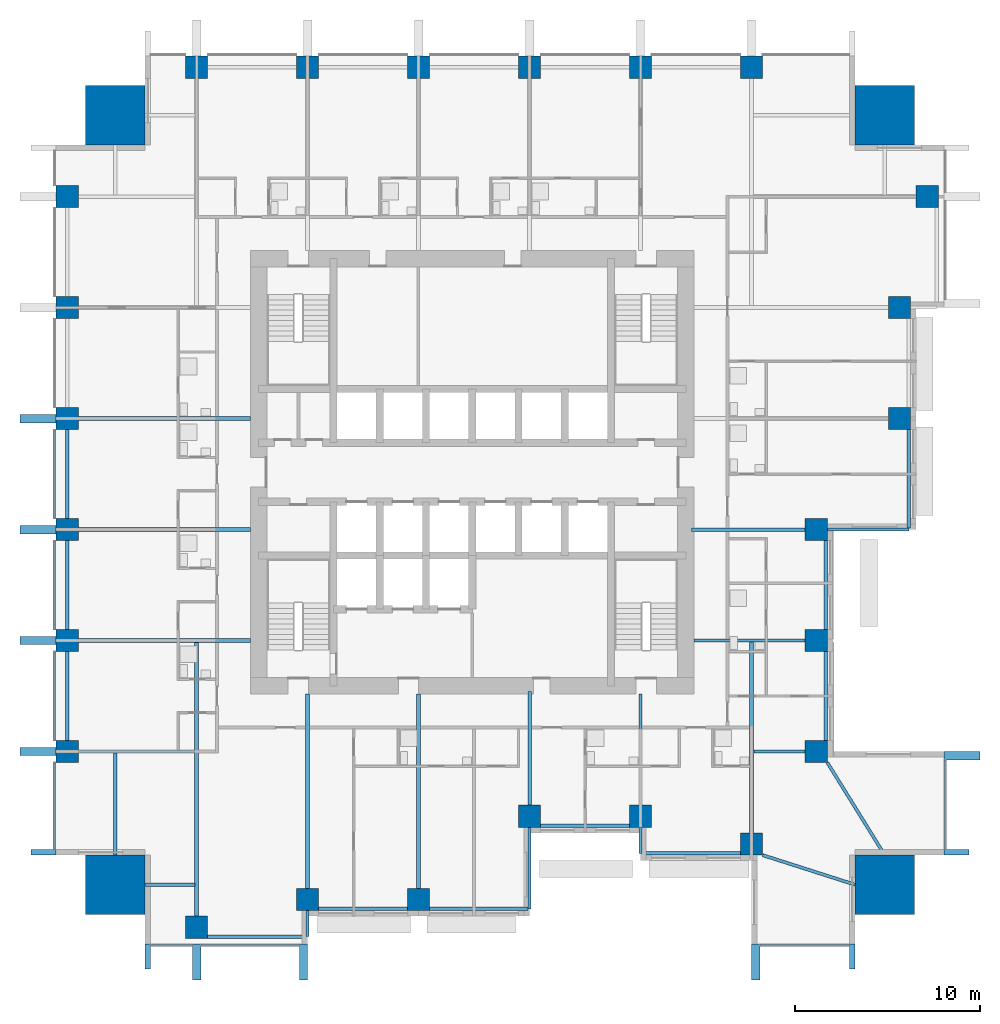
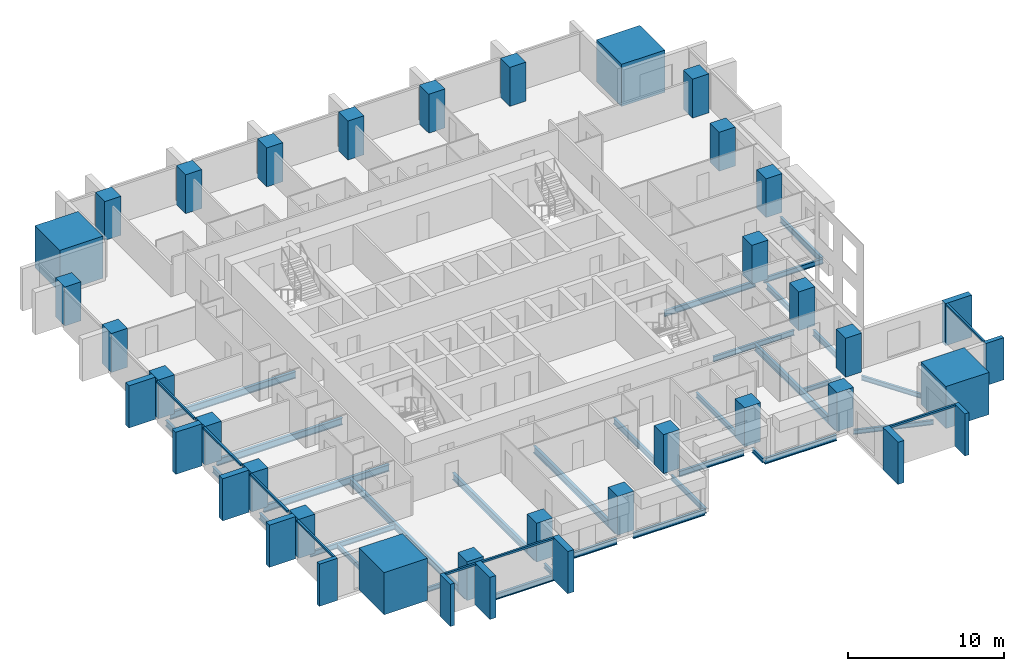
# One storey, part 1 of 10: 32 beams, 28 columns, 20 members, 4 elements without a shape of their own.
"""IFC4 building model written with IfcOpenShell, lengths in metres."""

from ifc_helpers import new_model, si_unit, direction, frame, origin, origin_2d, place, context, subcontext, project, spatial, rectangle, i_section, extrude, material, material_profile, profile_set, type_object, element, aggregate, save


model = new_model("IFC4")

# Units and contexts
model_context = context("Model", 3, precision=1e-05, world=origin(), true_north=direction((0.0, 1.0)))
body_context = subcontext(model_context, "Body", "Model", "MODEL_VIEW")
ifc_project = project(units=[si_unit("LENGTHUNIT", "METRE"), si_unit("AREAUNIT", "SQUARE_METRE"), si_unit("VOLUMEUNIT", "CUBIC_METRE"), si_unit("PLANEANGLEUNIT", "RADIAN"), si_unit("MASSUNIT", "GRAM", prefix="KILO")], contexts=[model_context])

# Site, building, storey
site_placement = place(None, origin())
site = spatial("IfcSite", under=ifc_project, at=site_placement, CompositionType="ELEMENT")
building_placement = place(site_placement, origin())
building = spatial("IfcBuilding", under=site, at=building_placement, Name="Amberfall Residences", CompositionType="ELEMENT")
storey_placement = place(building_placement, frame((0.0, 0.0, 30.10009765625)))
storey = spatial("IfcBuildingStorey", under=building, at=storey_placement, Name="L07", CompositionType="ELEMENT", Elevation=30.10009765625)

# Columns
ifc_material_1 = material(Name="Concrete C80", Category="concrete")
ifc_material_profile_1 = material_profile(ifc_material_1, rectangle(XDim=1.199951171875, YDim=1.199951171875, at=origin_2d()), Name="Column 1200 x 1200 C80")
ifc_profile_set_1 = profile_set([ifc_material_profile_1], Name="Concrete C80")
column_type_1 = type_object("IfcColumnType", Name="Column 1200 x 1200 C80", PredefinedType="COLUMN", material=ifc_profile_set_1)
for number, where, z_axis, x_axis, name in (
    (1, (59.60009765625, 20.89990234375, 0.0), (0.0, 0.0, 1.0), (1.0, 0.0, 0.0), "Column C1 L07 S1"),
    (2, (65.60009765625, 22.39990234375, 0.0), (0.0, 0.0, 1.0), (1.0, 0.0, 0.0), "Column C1 L07 S2"),
    (3, (71.60009765625, 22.39990234375, 0.0), (0.0, 0.0, 1.0), (1.0, 0.0, 0.0), "Column C1 L07 S3"),
    (4, (77.60009765625, 26.89990234375, 0.0), (0.0, 0.0, 1.0), (1.0, 0.0, 0.0), "Column C1 L07 S4"),
    (5, (83.60009765625, 26.89990234375, 0.0), (0.0, 0.0, 1.0), (1.0, 0.0, 0.0), "Column C1 L07 S5"),
    (6, (89.60009765625, 25.39990234375, 0.0), (0.0, 0.0, 1.0), (1.0, 0.0, 0.0), "Column C1 L07 S6"),
    (7, (93.10009765625, 30.39990234375, 0.0), (0.0, 0.0, 1.0), (1.0, 0.0, 0.0), "Column C1 L07 E1"),
    (8, (93.10009765625, 36.39990234375, 0.0), (0.0, 0.0, 1.0), (1.0, 0.0, 0.0), "Column C1 L07 E2"),
    (9, (93.10009765625, 42.39990234375, 0.0), (0.0, 0.0, 1.0), (1.0, 0.0, 0.0), "Column C1 L07 E3"),
    (10, (97.60009765625, 48.39990234375, 0.0), (0.0, 0.0, 1.0), (1.0, 0.0, 0.0), "Column C1 L07 E4"),
    (11, (97.60009765625, 54.39990234375, 0.0), (0.0, 0.0, 1.0), (1.0, 0.0, 0.0), "Column C1 L07 E5"),
    (12, (99.10009765625, 60.39990234375, 0.0), (0.0, 0.0, 1.0), (1.0, 0.0, 0.0), "Column C1 L07 E6"),
    (13, (59.60009765625, 67.39990234375, 0.0), (0.0, 0.0, 1.0), (1.0, 0.0, 0.0), "Column C1 L07 N1"),
    (14, (65.60009765625, 67.39990234375, 0.0), (0.0, 0.0, 1.0), (1.0, 0.0, 0.0), "Column C1 L07 N2"),
    (15, (71.60009765625, 67.39990234375, 0.0), (0.0, 0.0, 1.0), (1.0, 0.0, 0.0), "Column C1 L07 N3"),
    (16, (77.60009765625, 67.39990234375, 0.0), (0.0, 0.0, 1.0), (1.0, 0.0, 0.0), "Column C1 L07 N4"),
    (17, (83.60009765625, 67.39990234375, 0.0), (0.0, 0.0, 1.0), (1.0, 0.0, 0.0), "Column C1 L07 N5"),
    (18, (89.60009765625, 67.39990234375, 0.0), (0.0, 0.0, 1.0), (1.0, 0.0, 0.0), "Column C1 L07 N6"),
    (19, (52.60009765625, 30.39990234375, 0.0), (0.0, 0.0, 1.0), (1.0, 0.0, 0.0), "Column C1 L07 W1"),
    (20, (52.60009765625, 36.39990234375, 0.0), (0.0, 0.0, 1.0), (1.0, 0.0, 0.0), "Column C1 L07 W2"),
    (21, (52.60009765625, 42.39990234375, 0.0), (0.0, 0.0, 1.0), (1.0, 0.0, 0.0), "Column C1 L07 W3"),
    (22, (52.60009765625, 48.39990234375, 0.0), (0.0, 0.0, 1.0), (1.0, 0.0, 0.0), "Column C1 L07 W4"),
    (23, (52.60009765625, 54.39990234375, 0.0), (0.0, 0.0, 1.0), (1.0, 0.0, 0.0), "Column C1 L07 W5"),
    (24, (52.60009765625, 60.39990234375, 0.0), (0.0, 0.0, 1.0), (1.0, 0.0, 0.0), "Column C1 L07 W6"),
):
    element("IfcColumn", number, at=place(storey_placement, frame(where, z_axis=z_axis, x_axis=x_axis)), inside=storey, type_object=column_type_1, Name=name, PredefinedType="COLUMN", context=body_context, shape_type="SweptSolid", body=[
        extrude(rectangle(XDim=1.199951171875, YDim=1.199951171875, at=origin_2d()), origin(), (0.0, 0.0, 1.0), 3.0498046875),
    ])
ifc_material_profile_2 = material_profile(ifc_material_1, rectangle(XDim=3.199951171875, YDim=3.199951171875, at=origin_2d()), Name="Mega column 3200 x 3200 C80")
ifc_profile_set_2 = profile_set([ifc_material_profile_2], Name="Concrete C80")
column_type_2 = type_object("IfcColumnType", Name="Mega column 3200 x 3200 C80", PredefinedType="COLUMN", material=ifc_profile_set_2)
for number, where, z_axis, x_axis, name in (
    (25, (55.199951171875, 23.199951171875, 0.0), (0.0, 0.0, 1.0), (1.0, 0.0, 0.0), "Mega column MC1 L07 SW"),
    (26, (96.800048828125, 23.199951171875, 0.0), (0.0, 0.0, 1.0), (1.0, 0.0, 0.0), "Mega column MC1 L07 SE"),
    (27, (96.800048828125, 64.800048828125, 0.0), (0.0, 0.0, 1.0), (1.0, 0.0, 0.0), "Mega column MC1 L07 NE"),
    (28, (55.199951171875, 64.800048828125, 0.0), (0.0, 0.0, 1.0), (1.0, 0.0, 0.0), "Mega column MC1 L07 NW"),
):
    element("IfcColumn", number, at=place(storey_placement, frame(where, z_axis=z_axis, x_axis=x_axis)), inside=storey, type_object=column_type_2, Name=name, PredefinedType="COLUMN", context=body_context, shape_type="SweptSolid", body=[
        extrude(rectangle(XDim=3.199951171875, YDim=3.199951171875, at=origin_2d()), origin(), (0.0, 0.0, 1.0), 3.2998046875),
    ])

# Curtain wall, members
ifc_material_2 = material(Name="Bronze anodised aluminium and glass", Category="aluminium")
curtain_wall_type = type_object("IfcCurtainWallType", Name="Curtain wall CW1 tower unit", PredefinedType="USERDEFINED", material=ifc_material_2)
curtain_wall_1_placement = place(storey_placement, origin())
curtain_wall_1 = element("IfcCurtainWall", 29, at=curtain_wall_1_placement, inside=storey, type_object=curtain_wall_type, Name="Curtain wall L07 S S1", ObjectType="UNITISED CURTAIN WALL", PredefinedType="USERDEFINED")
ifc_material_3 = material(Name="Bronze anodised aluminium", Category="aluminium")
ifc_material_profile_3 = material_profile(ifc_material_3, rectangle(XDim=0.14990234375, YDim=0.14990234375, at=origin_2d()), Name="CW1 transom 150 x 150 bronze")
ifc_profile_set_3 = profile_set([ifc_material_profile_3], Name="Bronze anodised aluminium")
member_type_1 = type_object("IfcMemberType", Name="CW1 transom 150 x 150 bronze", PredefinedType="USERDEFINED", material=ifc_profile_set_3)
member_1_placement = place(storey_placement, frame((57.10009765625, 19.925048828125, 2.974853515625), z_axis=(1.0, 0.0, 0.0), x_axis=(0.0, 1.0, 0.0)))
member_1 = element("IfcMember", 30, at=member_1_placement, type_object=member_type_1, Name="CW1 transom 1.1", ObjectType="TRANSOM", PredefinedType="USERDEFINED", context=body_context, shape_type="SweptSolid", body=[
    extrude(rectangle(XDim=0.14990234375, YDim=0.14990234375, at=origin_2d()), origin(), (0.0, 0.0, 1.0), 2.27490234375),
])
member_2_placement = place(storey_placement, frame((59.824951171875, 19.925048828125, 2.974853515625), z_axis=(1.0, 0.0, 0.0), x_axis=(0.0, 1.0, 0.0)))
member_2 = element("IfcMember", 31, at=member_2_placement, type_object=member_type_1, Name="CW1 transom 2.1", ObjectType="TRANSOM", PredefinedType="USERDEFINED", context=body_context, shape_type="SweptSolid", body=[
    extrude(rectangle(XDim=0.14990234375, YDim=0.14990234375, at=origin_2d()), origin(), (0.0, 0.0, 1.0), 5.324951171875),
])

# Curtain wall, member
curtain_wall_2_placement = place(storey_placement, origin())
curtain_wall_2 = element("IfcCurtainWall", 32, at=curtain_wall_2_placement, inside=storey, type_object=curtain_wall_type, Name="Curtain wall L07 S S10", ObjectType="UNITISED CURTAIN WALL", PredefinedType="USERDEFINED")
member_3_placement = place(storey_placement, frame((90.050048828125, 19.925048828125, 2.974853515625), z_axis=(1.0, 0.0, 0.0), x_axis=(0.0, 1.0, 0.0)))
member_3 = element("IfcMember", 33, at=member_3_placement, type_object=member_type_1, Name="CW1 transom 1.1", ObjectType="TRANSOM", PredefinedType="USERDEFINED", context=body_context, shape_type="SweptSolid", body=[
    extrude(rectangle(XDim=0.14990234375, YDim=0.14990234375, at=origin_2d()), origin(), (0.0, 0.0, 1.0), 4.849853515625),
])

curtain_wall_3_placement = place(storey_placement, origin())
curtain_wall_3 = element("IfcCurtainWall", 34, at=curtain_wall_3_placement, inside=storey, type_object=curtain_wall_type, Name="Curtain wall L07 E E1", ObjectType="UNITISED CURTAIN WALL", PredefinedType="USERDEFINED")
member_4_placement = place(storey_placement, frame((100.074951171875, 25.10009765625, 2.974853515625), z_axis=(0.0, 1.0, 0.0), x_axis=(-1.0, 0.0, 0.0)))
member_4 = element("IfcMember", 35, at=member_4_placement, type_object=member_type_1, Name="CW1 transom 1.1", ObjectType="TRANSOM", PredefinedType="USERDEFINED", context=body_context, shape_type="SweptSolid", body=[
    extrude(rectangle(XDim=0.14990234375, YDim=0.14990234375, at=origin_2d()), origin(), (0.0, 0.0, 1.0), 4.849853515625),
])

# Curtain wall, members
curtain_wall_4_placement = place(storey_placement, origin())
curtain_wall_4 = element("IfcCurtainWall", 36, at=curtain_wall_4_placement, inside=storey, type_object=curtain_wall_type, Name="Curtain wall L07 W W1", ObjectType="UNITISED CURTAIN WALL", PredefinedType="USERDEFINED")
member_5_placement = place(storey_placement, frame((51.925048828125, 47.794921875, 2.974853515625), z_axis=(0.0, -1.0, 0.0), x_axis=(1.0, 0.0, 0.0)))
member_5 = element("IfcMember", 37, at=member_5_placement, type_object=member_type_1, Name="CW1 transom 4.1", ObjectType="TRANSOM", PredefinedType="USERDEFINED", context=body_context, shape_type="SweptSolid", body=[
    extrude(rectangle(XDim=0.14990234375, YDim=0.14990234375, at=origin_2d()), origin(), (0.0, 0.0, 1.0), 4.7900390625),
])
member_6_placement = place(storey_placement, frame((51.925048828125, 41.794921875, 2.974853515625), z_axis=(0.0, -1.0, 0.0), x_axis=(1.0, 0.0, 0.0)))
member_6 = element("IfcMember", 38, at=member_6_placement, type_object=member_type_1, Name="CW1 transom 5.1", ObjectType="TRANSOM", PredefinedType="USERDEFINED", context=body_context, shape_type="SweptSolid", body=[
    extrude(rectangle(XDim=0.14990234375, YDim=0.14990234375, at=origin_2d()), origin(), (0.0, 0.0, 1.0), 4.7900390625),
])
member_7_placement = place(storey_placement, frame((51.925048828125, 35.794921875, 2.974853515625), z_axis=(0.0, -1.0, 0.0), x_axis=(1.0, 0.0, 0.0)))
member_7 = element("IfcMember", 39, at=member_7_placement, type_object=member_type_1, Name="CW1 transom 6.1", ObjectType="TRANSOM", PredefinedType="USERDEFINED", context=body_context, shape_type="SweptSolid", body=[
    extrude(rectangle(XDim=0.14990234375, YDim=0.14990234375, at=origin_2d()), origin(), (0.0, 0.0, 1.0), 4.7900390625),
])
member_8_placement = place(storey_placement, frame((51.925048828125, 29.794921875, 2.974853515625), z_axis=(0.0, -1.0, 0.0), x_axis=(1.0, 0.0, 0.0)))
member_8 = element("IfcMember", 40, at=member_8_placement, type_object=member_type_1, Name="CW1 transom 7.1", ObjectType="TRANSOM", PredefinedType="USERDEFINED", context=body_context, shape_type="SweptSolid", body=[
    extrude(rectangle(XDim=0.14990234375, YDim=0.14990234375, at=origin_2d()), origin(), (0.0, 0.0, 1.0), 4.69482421875),
])

# Beams
ifc_material_4 = material(Name="Steel S355", Category="steel")
ifc_material_profile_4 = material_profile(ifc_material_4, i_section(OverallWidth=0.171142578125, OverallDepth=0.351318359375, WebThickness=0.007080078125, FlangeThickness=0.009765625, FilletRadius=0.01025390625, at=origin_2d()), Name="UB 356x171x45")
ifc_profile_set_4 = profile_set([ifc_material_profile_4], Name="Steel S355")
beam_type_1 = type_object("IfcBeamType", Name="Cantilever girder UB 356x171x45", PredefinedType="BEAM", material=ifc_profile_set_4)
for number, where, z_axis, x_axis, name in (
    (41, (65.60009765625, 21.800048828125, -0.42578125), (0.0, -1.0, 0.0), (1.0, 0.0, 0.0), "Cantilever girder B8 L07 06"),
    (42, (83.60009765625, 26.300048828125, -0.42578125), (0.0, -1.0, 0.0), (1.0, 0.0, 0.0), "Cantilever girder B8 L07 08"),
):
    element("IfcBeam", number, at=place(storey_placement, frame(where, z_axis=z_axis, x_axis=x_axis)), inside=storey, type_object=beam_type_1, Name=name, PredefinedType="BEAM", context=body_context, shape_type="SweptSolid", body=[
        extrude(i_section(OverallWidth=0.171142578125, OverallDepth=0.351318359375, WebThickness=0.007080078125, FlangeThickness=0.009765625, FilletRadius=0.01025390625, at=origin_2d()), origin(), (0.0, 0.0, 1.0), 1.400146484375),
    ])
ifc_material_profile_5 = material_profile(ifc_material_4, i_section(OverallWidth=0.177734375, OverallDepth=0.402587890625, WebThickness=0.0078125, FlangeThickness=0.010986328125, FilletRadius=0.01025390625, at=origin_2d()), Name="UB 406x178x54")
ifc_profile_set_5 = profile_set([ifc_material_profile_5], Name="Steel S355")
beam_type_2 = type_object("IfcBeamType", Name="Cantilever girder UB 406x178x54", PredefinedType="BEAM", material=ifc_profile_set_5)
for number, where, z_axis, x_axis, name in (
    (43, (77.60009765625, 26.300048828125, -0.451416015625), (0.0, -1.0, 0.0), (1.0, 0.0, 0.0), "Cantilever girder B9 L07 07"),
    (44, (93.699951171875, 42.39990234375, -0.451416015625), (1.0, 0.0, 0.0), (0.0, 1.0, 0.0), "Cantilever girder B9 L07 20"),
):
    element("IfcBeam", number, at=place(storey_placement, frame(where, z_axis=z_axis, x_axis=x_axis)), inside=storey, type_object=beam_type_2, Name=name, PredefinedType="BEAM", context=body_context, shape_type="SweptSolid", body=[
        extrude(i_section(OverallWidth=0.177734375, OverallDepth=0.402587890625, WebThickness=0.0078125, FlangeThickness=0.010986328125, FilletRadius=0.01025390625, at=origin_2d()), origin(), (0.0, 0.0, 1.0), 4.400146484375),
    ])

# Member
ifc_material_profile_6 = material_profile(ifc_material_3, rectangle(XDim=1.35009765625, YDim=0.300048828125, at=origin_2d()), Name="Corner fin 300 x 1350 bronze")
ifc_profile_set_6 = profile_set([ifc_material_profile_6], Name="Bronze anodised aluminium")
member_type_2 = type_object("IfcMemberType", Name="Corner fin 300 x 1350 bronze", PredefinedType="MULLION", material=ifc_profile_set_6)
member_9_placement = place(storey_placement, frame((56.949951171875, 19.324951171875, -0.25), z_axis=(0.0, 0.0, 1.0), x_axis=(0.0, 1.0, 0.0)))
member_9 = element("IfcMember", 45, at=member_9_placement, type_object=member_type_2, Name="CW FIN 1", PredefinedType="MULLION", context=body_context, shape_type="SweptSolid", body=[
    extrude(rectangle(XDim=1.35009765625, YDim=0.300048828125, at=origin_2d()), origin(), (0.0, 0.0, 1.0), 3.2998046875),
])

member_10_placement = place(storey_placement, frame((95.050048828125, 19.324951171875, -0.25), z_axis=(0.0, 0.0, 1.0), x_axis=(0.0, 1.0, 0.0)))
member_10 = element("IfcMember", 46, at=member_10_placement, type_object=member_type_2, Name="CW FIN 2", PredefinedType="MULLION", context=body_context, shape_type="SweptSolid", body=[
    extrude(rectangle(XDim=1.35009765625, YDim=0.300048828125, at=origin_2d()), origin(), (0.0, 0.0, 1.0), 3.2998046875),
])

member_11_placement = place(storey_placement, frame((100.675048828125, 24.949951171875, -0.25), z_axis=(0.0, 0.0, 1.0), x_axis=(-1.0, 0.0, 0.0)))
member_11 = element("IfcMember", 47, at=member_11_placement, type_object=member_type_2, Name="CW FIN 1", PredefinedType="MULLION", context=body_context, shape_type="SweptSolid", body=[
    extrude(rectangle(XDim=1.35009765625, YDim=0.300048828125, at=origin_2d()), origin(), (0.0, 0.0, 1.0), 3.2998046875),
])

member_12_placement = place(storey_placement, frame((51.324951171875, 24.949951171875, -0.25), z_axis=(0.0, 0.0, 1.0), x_axis=(1.0, 0.0, 0.0)))
member_12 = element("IfcMember", 48, at=member_12_placement, type_object=member_type_2, Name="CW FIN 8", PredefinedType="MULLION", context=body_context, shape_type="SweptSolid", body=[
    extrude(rectangle(XDim=1.35009765625, YDim=0.300048828125, at=origin_2d()), origin(), (0.0, 0.0, 1.0), 3.2998046875),
])

# Beams
ifc_material_profile_7 = material_profile(ifc_material_4, i_section(OverallWidth=0.18994140625, OverallDepth=0.453369140625, WebThickness=0.008544921875, FlangeThickness=0.0126953125, FilletRadius=0.01025390625, at=origin_2d()), Name="UB 457x191x67")
ifc_profile_set_7 = profile_set([ifc_material_profile_7], Name="Steel S355")
beam_type_3 = type_object("IfcBeamType", Name="Edge beam UB 457x191x67", PredefinedType="SPANDREL", material=ifc_profile_set_7)
beam_1_placement = place(storey_placement, frame((60.199951171875, 20.39990234375, -0.476806640625), z_axis=(1.0, 0.0, 0.0), x_axis=(0.0, 1.0, 0.0)))
element("IfcBeam", 49, at=beam_1_placement, inside=storey, type_object=beam_type_3, Name="Edge beam B1 L07 01", PredefinedType="SPANDREL", context=body_context, shape_type="SweptSolid", body=[
    extrude(i_section(OverallWidth=0.18994140625, OverallDepth=0.453369140625, WebThickness=0.008544921875, FlangeThickness=0.0126953125, FilletRadius=0.01025390625, at=origin_2d()), origin(), (0.0, 0.0, 1.0), 5.320068359375),
])
beam_2_placement = place(storey_placement, frame((66.199951171875, 21.89990234375, -0.476806640625), z_axis=(1.0, 0.0, 0.0), x_axis=(0.0, 1.0, 0.0)))
element("IfcBeam", 50, at=beam_2_placement, inside=storey, type_object=beam_type_3, Name="Edge beam B1 L07 02", PredefinedType="SPANDREL", context=body_context, shape_type="SweptSolid", body=[
    extrude(i_section(OverallWidth=0.18994140625, OverallDepth=0.453369140625, WebThickness=0.008544921875, FlangeThickness=0.0126953125, FilletRadius=0.01025390625, at=origin_2d()), origin(), (0.0, 0.0, 1.0), 4.800048828125),
])
beam_3_placement = place(storey_placement, frame((72.199951171875, 21.89990234375, -0.476806640625), z_axis=(1.0, 0.0, 0.0), x_axis=(0.0, 1.0, 0.0)))
element("IfcBeam", 51, at=beam_3_placement, inside=storey, type_object=beam_type_3, Name="Edge beam B1 L07 03", PredefinedType="SPANDREL", context=body_context, shape_type="SweptSolid", body=[
    extrude(i_section(OverallWidth=0.18994140625, OverallDepth=0.453369140625, WebThickness=0.008544921875, FlangeThickness=0.0126953125, FilletRadius=0.01025390625, at=origin_2d()), origin(), (0.0, 0.0, 1.0), 5.320068359375),
])
beam_4_placement = place(storey_placement, frame((78.199951171875, 26.39990234375, -0.476806640625), z_axis=(1.0, 0.0, 0.0), x_axis=(0.0, 1.0, 0.0)))
element("IfcBeam", 52, at=beam_4_placement, inside=storey, type_object=beam_type_3, Name="Edge beam B1 L07 04", PredefinedType="SPANDREL", context=body_context, shape_type="SweptSolid", body=[
    extrude(i_section(OverallWidth=0.18994140625, OverallDepth=0.453369140625, WebThickness=0.008544921875, FlangeThickness=0.0126953125, FilletRadius=0.01025390625, at=origin_2d()), origin(), (0.0, 0.0, 1.0), 4.800048828125),
])
beam_5_placement = place(storey_placement, frame((83.679931640625, 24.89990234375, -0.476806640625), z_axis=(1.0, 0.0, 0.0), x_axis=(0.0, 1.0, 0.0)))
element("IfcBeam", 53, at=beam_5_placement, inside=storey, type_object=beam_type_3, Name="Edge beam B1 L07 05", PredefinedType="SPANDREL", context=body_context, shape_type="SweptSolid", body=[
    extrude(i_section(OverallWidth=0.18994140625, OverallDepth=0.453369140625, WebThickness=0.008544921875, FlangeThickness=0.0126953125, FilletRadius=0.01025390625, at=origin_2d()), origin(), (0.0, 0.0, 1.0), 5.320068359375),
])
for number, where, z_axis, x_axis, name in (
    (54, (93.60009765625, 31.0, -0.476806640625), (0.0, 1.0, 0.0), (-1.0, 0.0, 0.0), "Edge beam B1 L07 15"),
    (55, (93.60009765625, 37.0, -0.476806640625), (0.0, 1.0, 0.0), (-1.0, 0.0, 0.0), "Edge beam B1 L07 16"),
):
    element("IfcBeam", number, at=place(storey_placement, frame(where, z_axis=z_axis, x_axis=x_axis)), inside=storey, type_object=beam_type_3, Name=name, PredefinedType="SPANDREL", context=body_context, shape_type="SweptSolid", body=[
        extrude(i_section(OverallWidth=0.18994140625, OverallDepth=0.453369140625, WebThickness=0.008544921875, FlangeThickness=0.0126953125, FilletRadius=0.01025390625, at=origin_2d()), origin(), (0.0, 0.0, 1.0), 4.800048828125),
    ])
beam_6_placement = place(storey_placement, frame((98.10009765625, 42.47998046875, -0.476806640625), z_axis=(0.0, 1.0, 0.0), x_axis=(-1.0, 0.0, 0.0)))
element("IfcBeam", 56, at=beam_6_placement, inside=storey, type_object=beam_type_3, Name="Edge beam B1 L07 17", PredefinedType="SPANDREL", context=body_context, shape_type="SweptSolid", body=[
    extrude(i_section(OverallWidth=0.18994140625, OverallDepth=0.453369140625, WebThickness=0.008544921875, FlangeThickness=0.0126953125, FilletRadius=0.01025390625, at=origin_2d()), origin(), (0.0, 0.0, 1.0), 5.320068359375),
])
for number, where, z_axis, x_axis, name in (
    (57, (52.60009765625, 31.0, -0.476806640625), (0.0, 1.0, 0.0), (-1.0, 0.0, 0.0), "Edge beam B1 L07 39"),
    (58, (52.60009765625, 37.0, -0.476806640625), (0.0, 1.0, 0.0), (-1.0, 0.0, 0.0), "Edge beam B1 L07 40"),
    (59, (52.60009765625, 43.0, -0.476806640625), (0.0, 1.0, 0.0), (-1.0, 0.0, 0.0), "Edge beam B1 L07 41"),
):
    element("IfcBeam", number, at=place(storey_placement, frame(where, z_axis=z_axis, x_axis=x_axis)), inside=storey, type_object=beam_type_3, Name=name, PredefinedType="SPANDREL", context=body_context, shape_type="SweptSolid", body=[
        extrude(i_section(OverallWidth=0.18994140625, OverallDepth=0.453369140625, WebThickness=0.008544921875, FlangeThickness=0.0126953125, FilletRadius=0.01025390625, at=origin_2d()), origin(), (0.0, 0.0, 1.0), 4.800048828125),
    ])

# Member
ifc_material_profile_8 = material_profile(ifc_material_3, rectangle(XDim=1.949951171875, YDim=0.449951171875, at=origin_2d()), Name="Fin 450 x 1950 bronze")
ifc_profile_set_8 = profile_set([ifc_material_profile_8], Name="Bronze anodised aluminium")
member_type_3 = type_object("IfcMemberType", Name="Fin 450 x 1950 bronze", PredefinedType="MULLION", material=ifc_profile_set_8)
member_13_placement = place(storey_placement, frame((59.60009765625, 19.02490234375, -0.25), z_axis=(0.0, 0.0, 1.0), x_axis=(0.0, 1.0, 0.0)))
member_13 = element("IfcMember", 60, at=member_13_placement, type_object=member_type_3, Name="CW FIN 2", PredefinedType="MULLION", context=body_context, shape_type="SweptSolid", body=[
    extrude(rectangle(XDim=1.949951171875, YDim=0.449951171875, at=origin_2d()), origin(), (0.0, 0.0, 1.0), 3.2998046875),
])

member_14_placement = place(storey_placement, frame((65.375, 19.02490234375, -0.25), z_axis=(0.0, 0.0, 1.0), x_axis=(0.0, 1.0, 0.0)))
member_14 = element("IfcMember", 61, at=member_14_placement, type_object=member_type_3, Name="CW FIN 3", PredefinedType="MULLION", context=body_context, shape_type="SweptSolid", body=[
    extrude(rectangle(XDim=1.949951171875, YDim=0.449951171875, at=origin_2d()), origin(), (0.0, 0.0, 1.0), 3.2998046875),
])

aggregate(curtain_wall_1, [member_9, member_13, member_14, member_1, member_2])

member_15_placement = place(storey_placement, frame((89.824951171875, 19.02490234375, -0.25), z_axis=(0.0, 0.0, 1.0), x_axis=(0.0, 1.0, 0.0)))
member_15 = element("IfcMember", 62, at=member_15_placement, type_object=member_type_3, Name="CW FIN 1", PredefinedType="MULLION", context=body_context, shape_type="SweptSolid", body=[
    extrude(rectangle(XDim=1.949951171875, YDim=0.449951171875, at=origin_2d()), origin(), (0.0, 0.0, 1.0), 3.2998046875),
])

aggregate(curtain_wall_2, [member_15, member_10, member_3])

member_16_placement = place(storey_placement, frame((100.97509765625, 30.175048828125, -0.25), z_axis=(0.0, 0.0, 1.0), x_axis=(-1.0, 0.0, 0.0)))
member_16 = element("IfcMember", 63, at=member_16_placement, type_object=member_type_3, Name="CW FIN 2", PredefinedType="MULLION", context=body_context, shape_type="SweptSolid", body=[
    extrude(rectangle(XDim=1.949951171875, YDim=0.449951171875, at=origin_2d()), origin(), (0.0, 0.0, 1.0), 3.2998046875),
])

aggregate(curtain_wall_3, [member_11, member_16, member_4])

member_17_placement = place(storey_placement, frame((51.02490234375, 48.39990234375, -0.25), z_axis=(0.0, 0.0, 1.0), x_axis=(1.0, 0.0, 0.0)))
member_17 = element("IfcMember", 64, at=member_17_placement, type_object=member_type_3, Name="CW FIN 4", PredefinedType="MULLION", context=body_context, shape_type="SweptSolid", body=[
    extrude(rectangle(XDim=1.949951171875, YDim=0.449951171875, at=origin_2d()), origin(), (0.0, 0.0, 1.0), 3.2998046875),
])

member_18_placement = place(storey_placement, frame((51.02490234375, 42.39990234375, -0.25), z_axis=(0.0, 0.0, 1.0), x_axis=(1.0, 0.0, 0.0)))
member_18 = element("IfcMember", 65, at=member_18_placement, type_object=member_type_3, Name="CW FIN 5", PredefinedType="MULLION", context=body_context, shape_type="SweptSolid", body=[
    extrude(rectangle(XDim=1.949951171875, YDim=0.449951171875, at=origin_2d()), origin(), (0.0, 0.0, 1.0), 3.2998046875),
])

member_19_placement = place(storey_placement, frame((51.02490234375, 36.39990234375, -0.25), z_axis=(0.0, 0.0, 1.0), x_axis=(1.0, 0.0, 0.0)))
member_19 = element("IfcMember", 66, at=member_19_placement, type_object=member_type_3, Name="CW FIN 6", PredefinedType="MULLION", context=body_context, shape_type="SweptSolid", body=[
    extrude(rectangle(XDim=1.949951171875, YDim=0.449951171875, at=origin_2d()), origin(), (0.0, 0.0, 1.0), 3.2998046875),
])

member_20_placement = place(storey_placement, frame((51.02490234375, 30.39990234375, -0.25), z_axis=(0.0, 0.0, 1.0), x_axis=(1.0, 0.0, 0.0)))
member_20 = element("IfcMember", 67, at=member_20_placement, type_object=member_type_3, Name="CW FIN 7", PredefinedType="MULLION", context=body_context, shape_type="SweptSolid", body=[
    extrude(rectangle(XDim=1.949951171875, YDim=0.449951171875, at=origin_2d()), origin(), (0.0, 0.0, 1.0), 3.2998046875),
])

aggregate(curtain_wall_4, [member_17, member_18, member_19, member_20, member_12, member_5, member_6, member_7, member_8])

# Beams
ifc_material_profile_9 = material_profile(ifc_material_4, i_section(OverallWidth=0.171142578125, OverallDepth=0.351318359375, WebThickness=0.007080078125, FlangeThickness=0.009765625, FilletRadius=0.01025390625, at=origin_2d()), Name="UB 356x171x45")
ifc_profile_set_9 = profile_set([ifc_material_profile_9], Name="Steel S355")
beam_type_4 = type_object("IfcBeamType", Name="Floor girder UB 356x171x45", PredefinedType="BEAM", material=ifc_profile_set_9)
beam_7_placement = place(storey_placement, frame((92.5, 30.39990234375, -0.42578125), z_axis=(-1.0, 0.0, 0.0), x_axis=(0.0, -1.0, 0.0)))
element("IfcBeam", 68, at=beam_7_placement, inside=storey, type_object=beam_type_4, Name="Floor girder B11 L07 22", PredefinedType="BEAM", context=body_context, shape_type="SweptSolid", body=[
    extrude(i_section(OverallWidth=0.171142578125, OverallDepth=0.351318359375, WebThickness=0.007080078125, FlangeThickness=0.009765625, FilletRadius=0.01025390625, at=origin_2d()), origin(), (0.0, 0.0, 1.0), 2.780029296875),
])
ifc_material_profile_10 = material_profile(ifc_material_4, i_section(OverallWidth=0.177734375, OverallDepth=0.402587890625, WebThickness=0.0078125, FlangeThickness=0.010986328125, FilletRadius=0.01025390625, at=origin_2d()), Name="UB 406x178x54")
ifc_profile_set_10 = profile_set([ifc_material_profile_10], Name="Steel S355")
beam_type_5 = type_object("IfcBeamType", Name="Floor girder UB 406x178x54", PredefinedType="BEAM", material=ifc_profile_set_10)
for number, where, z_axis, x_axis, name in (
    (69, (83.60009765625, 27.5, -0.451416015625), (0.0, 1.0, 0.0), (-1.0, 0.0, 0.0), "Floor girder B4 L07 13"),
    (70, (92.5, 36.39990234375, -0.451416015625), (-1.0, 0.0, 0.0), (0.0, -1.0, 0.0), "Floor girder B4 L07 23"),
):
    element("IfcBeam", number, at=place(storey_placement, frame(where, z_axis=z_axis, x_axis=x_axis)), inside=storey, type_object=beam_type_5, Name=name, PredefinedType="BEAM", context=body_context, shape_type="SweptSolid", body=[
        extrude(i_section(OverallWidth=0.177734375, OverallDepth=0.402587890625, WebThickness=0.0078125, FlangeThickness=0.010986328125, FilletRadius=0.01025390625, at=origin_2d()), origin(), (0.0, 0.0, 1.0), 6.0),
    ])
beam_8_placement = place(storey_placement, frame((53.199951171875, 30.39990234375, -0.451416015625), z_axis=(1.0, 0.0, 0.0), x_axis=(0.0, 1.0, 0.0)))
element("IfcBeam", 71, at=beam_8_placement, inside=storey, type_object=beam_type_5, Name="Floor girder B4 L07 44", PredefinedType="BEAM", context=body_context, shape_type="SweptSolid", body=[
    extrude(i_section(OverallWidth=0.177734375, OverallDepth=0.402587890625, WebThickness=0.0078125, FlangeThickness=0.010986328125, FilletRadius=0.01025390625, at=origin_2d()), origin(), (0.0, 0.0, 1.0), 6.280029296875),
])
ifc_material_profile_11 = material_profile(ifc_material_4, i_section(OverallWidth=0.19140625, OverallDepth=0.4599609375, WebThickness=0.010009765625, FlangeThickness=0.01611328125, FilletRadius=0.01025390625, at=origin_2d()), Name="UB 457x191x82")
ifc_profile_set_11 = profile_set([ifc_material_profile_11], Name="Steel S355")
beam_type_6 = type_object("IfcBeamType", Name="Floor girder UB 457x191x82", PredefinedType="BEAM", material=ifc_profile_set_11)
for number, where, z_axis, x_axis, name in (
    (72, (77.60009765625, 26.89990234375, -0.47998046875), (0.0, 1.0, 0.0), (-1.0, 0.0, 0.0), "Floor girder B10 L07 12"),
    (73, (93.10009765625, 42.39990234375, -0.47998046875), (-1.0, 0.0, 0.0), (0.0, -1.0, 0.0), "Floor girder B10 L07 24"),
):
    element("IfcBeam", number, at=place(storey_placement, frame(where, z_axis=z_axis, x_axis=x_axis)), inside=storey, type_object=beam_type_6, Name=name, PredefinedType="BEAM", context=body_context, shape_type="SweptSolid", body=[
        extrude(i_section(OverallWidth=0.19140625, OverallDepth=0.4599609375, WebThickness=0.010009765625, FlangeThickness=0.01611328125, FilletRadius=0.01025390625, at=origin_2d()), origin(), (0.0, 0.0, 1.0), 6.75),
    ])
ifc_material_profile_12 = material_profile(ifc_material_4, i_section(OverallWidth=0.210693359375, OverallDepth=0.53955078125, WebThickness=0.01171875, FlangeThickness=0.018798828125, FilletRadius=0.0126953125, at=origin_2d()), Name="UB 533x210x109")
ifc_profile_set_12 = profile_set([ifc_material_profile_12], Name="Steel S355")
beam_type_7 = type_object("IfcBeamType", Name="Floor girder UB 533x210x109", PredefinedType="BEAM", material=ifc_profile_set_12)
beam_9_placement = place(storey_placement, frame((59.60009765625, 21.5, -0.519775390625), z_axis=(0.0, 1.0, 0.0), x_axis=(-1.0, 0.0, 0.0)))
element("IfcBeam", 74, at=beam_9_placement, inside=storey, type_object=beam_type_7, Name="Floor girder B2 L07 09", PredefinedType="BEAM", context=body_context, shape_type="SweptSolid", body=[
    extrude(i_section(OverallWidth=0.210693359375, OverallDepth=0.53955078125, WebThickness=0.01171875, FlangeThickness=0.018798828125, FilletRadius=0.0126953125, at=origin_2d()), origin(), (0.0, 0.0, 1.0), 14.80029296875),
])
ifc_material_profile_13 = material_profile(ifc_material_4, i_section(OverallWidth=0.209228515625, OverallDepth=0.533203125, WebThickness=0.010009765625, FlangeThickness=0.015625, FilletRadius=0.0126953125, at=origin_2d()), Name="UB 533x210x92")
ifc_profile_set_13 = profile_set([ifc_material_profile_13], Name="Steel S355")
beam_type_8 = type_object("IfcBeamType", Name="Floor girder UB 533x210x92", PredefinedType="BEAM", material=ifc_profile_set_13)
for number, where, z_axis, x_axis, name in (
    (75, (65.60009765625, 23.0, -0.5166015625), (0.0, 1.0, 0.0), (-1.0, 0.0, 0.0), "Floor girder B3 L07 10"),
    (76, (71.60009765625, 23.0, -0.5166015625), (0.0, 1.0, 0.0), (-1.0, 0.0, 0.0), "Floor girder B3 L07 11"),
):
    element("IfcBeam", number, at=place(storey_placement, frame(where, z_axis=z_axis, x_axis=x_axis)), inside=storey, type_object=beam_type_8, Name=name, PredefinedType="BEAM", context=body_context, shape_type="SweptSolid", body=[
        extrude(i_section(OverallWidth=0.209228515625, OverallDepth=0.533203125, WebThickness=0.010009765625, FlangeThickness=0.015625, FilletRadius=0.0126953125, at=origin_2d()), origin(), (0.0, 0.0, 1.0), 10.5),
    ])
beam_10_placement = place(storey_placement, frame((89.60009765625, 26.0, -0.5166015625), z_axis=(0.0, 1.0, 0.0), x_axis=(-1.0, 0.0, 0.0)))
element("IfcBeam", 77, at=beam_10_placement, inside=storey, type_object=beam_type_8, Name="Floor girder B3 L07 14", PredefinedType="BEAM", context=body_context, shape_type="SweptSolid", body=[
    extrude(i_section(OverallWidth=0.209228515625, OverallDepth=0.533203125, WebThickness=0.010009765625, FlangeThickness=0.015625, FilletRadius=0.0126953125, at=origin_2d()), origin(), (0.0, 0.0, 1.0), 10.316162109375),
])
for number, where, z_axis, x_axis, name in (
    (78, (53.199951171875, 36.39990234375, -0.5166015625), (1.0, 0.0, 0.0), (0.0, 1.0, 0.0), "Floor girder B3 L07 45"),
    (79, (53.199951171875, 42.39990234375, -0.5166015625), (1.0, 0.0, 0.0), (0.0, 1.0, 0.0), "Floor girder B3 L07 46"),
    (80, (53.199951171875, 48.39990234375, -0.5166015625), (1.0, 0.0, 0.0), (0.0, 1.0, 0.0), "Floor girder B3 L07 47"),
):
    element("IfcBeam", number, at=place(storey_placement, frame(where, z_axis=z_axis, x_axis=x_axis)), inside=storey, type_object=beam_type_8, Name=name, PredefinedType="BEAM", context=body_context, shape_type="SweptSolid", body=[
        extrude(i_section(OverallWidth=0.209228515625, OverallDepth=0.533203125, WebThickness=0.010009765625, FlangeThickness=0.015625, FilletRadius=0.0126953125, at=origin_2d()), origin(), (0.0, 0.0, 1.0), 9.300048828125),
    ])
ifc_material_profile_14 = material_profile(ifc_material_4, i_section(OverallWidth=0.171142578125, OverallDepth=0.351318359375, WebThickness=0.007080078125, FlangeThickness=0.009765625, FilletRadius=0.01025390625, at=origin_2d()), Name="UB 356x171x45")
ifc_profile_set_14 = profile_set([ifc_material_profile_14], Name="Steel S355")
beam_type_9 = type_object("IfcBeamType", Name="Link beam UB 356x171x45", PredefinedType="BEAM", material=ifc_profile_set_14)
beam_11_placement = place(storey_placement, frame((56.800048828125, 23.199951171875, -0.42578125), z_axis=(1.0, 0.0, 0.0), x_axis=(0.0, 1.0, 0.0)))
element("IfcBeam", 81, at=beam_11_placement, inside=storey, type_object=beam_type_9, Name="Link beam B7 L07 50", PredefinedType="BEAM", context=body_context, shape_type="SweptSolid", body=[
    extrude(i_section(OverallWidth=0.171142578125, OverallDepth=0.351318359375, WebThickness=0.007080078125, FlangeThickness=0.009765625, FilletRadius=0.01025390625, at=origin_2d()), origin(), (0.0, 0.0, 1.0), 2.70458984375),
])
beam_12_placement = place(storey_placement, frame((55.199951171875, 24.800048828125, -0.42578125), z_axis=(0.0, 1.0, 0.0), x_axis=(-1.0, 0.0, 0.0)))
element("IfcBeam", 82, at=beam_12_placement, inside=storey, type_object=beam_type_9, Name="Link beam B7 L07 51", PredefinedType="BEAM", context=body_context, shape_type="SweptSolid", body=[
    extrude(i_section(OverallWidth=0.171142578125, OverallDepth=0.351318359375, WebThickness=0.007080078125, FlangeThickness=0.009765625, FilletRadius=0.01025390625, at=origin_2d()), origin(), (0.0, 0.0, 1.0), 5.521240234375),
])
beam_13_placement = place(storey_placement, frame((95.199951171875, 23.199951171875, -0.42578125), z_axis=(-0.952418747361, 0.304792601084, 0.0), x_axis=(-0.304792601084, -0.952418747361, 0.0)))
element("IfcBeam", 83, at=beam_13_placement, inside=storey, type_object=beam_type_9, Name="Link beam B7 L07 52", PredefinedType="BEAM", context=body_context, shape_type="SweptSolid", body=[
    extrude(i_section(OverallWidth=0.171142578125, OverallDepth=0.351318359375, WebThickness=0.007080078125, FlangeThickness=0.009765625, FilletRadius=0.01025390625, at=origin_2d()), origin(), (0.0, 0.0, 1.0), 5.249755859375),
])
beam_14_placement = place(storey_placement, frame((96.800048828125, 24.800048828125, -0.42578125), z_axis=(-0.526951659214, 0.849895257577, 0.0), x_axis=(-0.849895257577, -0.526951659214, 0.0)))
element("IfcBeam", 84, at=beam_14_placement, inside=storey, type_object=beam_type_9, Name="Link beam B7 L07 53", PredefinedType="BEAM", context=body_context, shape_type="SweptSolid", body=[
    extrude(i_section(OverallWidth=0.171142578125, OverallDepth=0.351318359375, WebThickness=0.007080078125, FlangeThickness=0.009765625, FilletRadius=0.01025390625, at=origin_2d()), origin(), (0.0, 0.0, 1.0), 5.883056640625),
])

save(model, "model.ifc")
